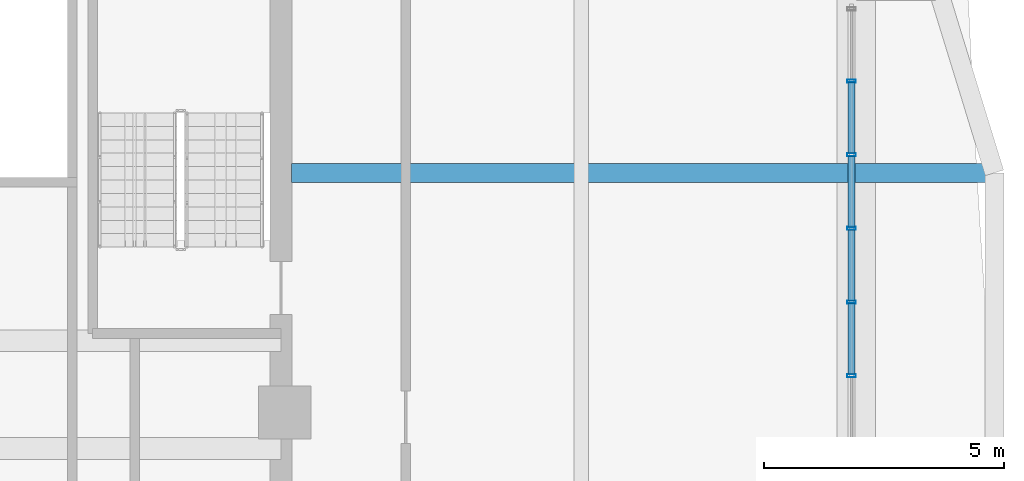
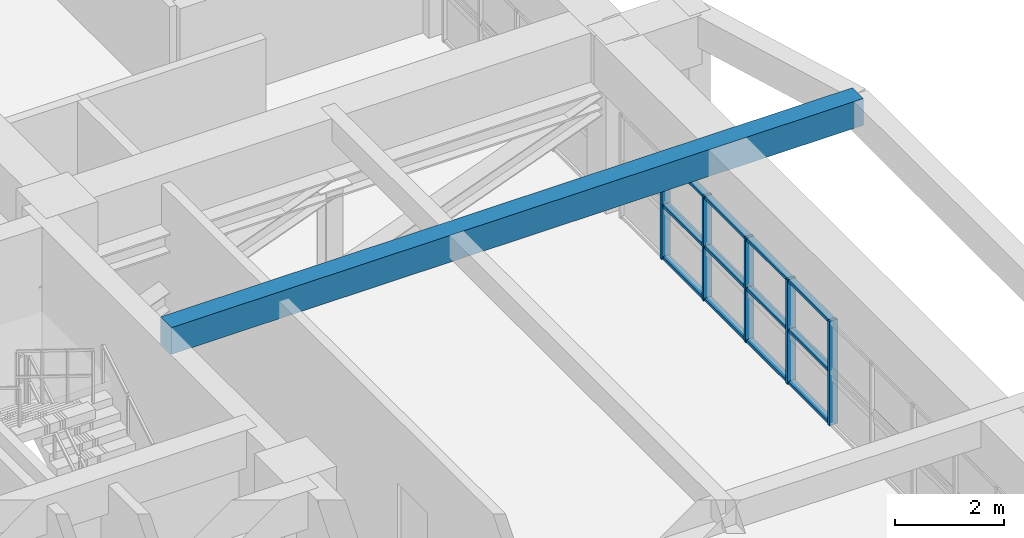
# One storey, part 14 of 25: 17 members, 1 beam, 1 element without a shape of its own.
"""IFC4 building model written with IfcOpenShell, lengths in metres."""

from ifc_helpers import new_model, si_unit, direction, frame, origin, origin_2d, place, context, subcontext, project, spatial, rectangle, hollow_rectangle, extrude, source, transform, mapped, material, layer, layer_set, material_profile, profile_set, type_object, element, aggregate, save


model = new_model("IFC4")

# Units and contexts
model_context = context("Model", 3, precision=1e-05, world=origin(), true_north=direction((0.0, 1.0)))
body_context = subcontext(model_context, "Body", "Model", "MODEL_VIEW")
ifc_project = project(units=[si_unit("LENGTHUNIT", "METRE"), si_unit("AREAUNIT", "SQUARE_METRE"), si_unit("VOLUMEUNIT", "CUBIC_METRE"), si_unit("PLANEANGLEUNIT", "RADIAN"), si_unit("MASSUNIT", "GRAM", prefix="KILO")], contexts=[model_context])

# Site, building, storey
site_placement = place(None, origin())
site = spatial("IfcSite", under=ifc_project, at=site_placement, CompositionType="ELEMENT")
building_placement = place(site_placement, origin())
building = spatial("IfcBuilding", under=site, at=building_placement, Name="Saelheon Loggia Tower", CompositionType="ELEMENT")
storey_placement = place(building_placement, frame((0.0, 0.0, 206.5)))
storey = spatial("IfcBuildingStorey", under=building, at=storey_placement, Name="L64", CompositionType="ELEMENT", Elevation=206.5)

# Beam
ifc_material_1 = material(Name="Precast Concrete C45/55", Category="concrete")
ifc_material_profile_1 = material_profile(ifc_material_1, rectangle(XDim=0.39990234375, YDim=0.60009765625, at=origin_2d()), Name="RC-400x600")
ifc_profile_set_1 = profile_set([ifc_material_profile_1], Name="Precast Concrete C45/55")
beam_type = type_object("IfcBeamType", Name="Beam_LoggiaTie_RC400x600", PredefinedType="BEAM", material=ifc_profile_set_1)
shared_shape_1 = source(origin(), body_context, "Body", "SweptSolid", [
    extrude(rectangle(XDim=0.39990234375, YDim=0.60009765625, at=origin_2d()), origin(), (0.0, 0.0, 1.0), 14.659912109375),
])
beam_placement = place(storey_placement, frame((44.719970703125, 32.0, 3.5), z_axis=(1.0, 0.0, 0.0), x_axis=(0.0, 1.0, 0.0)))
element("IfcBeam", 1, at=beam_placement, inside=storey, type_object=beam_type, Name="L64 Curved Facade Outrigger Beam E 2", PredefinedType="BEAM", context=body_context, shape_type="MappedRepresentation", body=[
    mapped(shared_shape_1, transform((0.0, 0.0, 0.0), scale=1.0)),
])

# Curtain wall, members
ifc_material_2 = material(Name="Anodised Aluminium Acoustic Louvre Curtain Wall", Category="aluminium")
ifc_layer = layer(ifc_material_2, 0.179931640625)
ifc_layer_set = layer_set([ifc_layer], Name="Anodised Aluminium Acoustic Louvre Curtain Wall")
curtain_wall_type = type_object("IfcCurtainWallType", Name="CW_RefugeAcoustic", PredefinedType="NOTDEFINED", material=ifc_layer_set)
curtain_wall_placement = place(storey_placement, origin())
curtain_wall = element("IfcCurtainWall", 2, at=curtain_wall_placement, inside=storey, type_object=curtain_wall_type, Name="L64 E Refuge Acoustic Curtain Wall 2", PredefinedType="NOTDEFINED")
ifc_material_3 = material(Name="Anodised Aluminium 6063-T6", Category="aluminium")
ifc_material_profile_2 = material_profile(ifc_material_3, hollow_rectangle(XDim=0.06494140625, YDim=0.139892578125, WallThickness=0.00390625, at=origin_2d()), Name="RHS-140x65x4")
ifc_profile_set_2 = profile_set([ifc_material_profile_2], Name="Anodised Aluminium 6063-T6")
member_type_1 = type_object("IfcMemberType", Name="CW_RefugeAcoustic_Transom", PredefinedType="USERDEFINED", material=ifc_profile_set_2)
shared_shape_2 = source(origin(), body_context, "Body", "SweptSolid", [
    extrude(hollow_rectangle(XDim=0.06494140625, YDim=0.139892578125, WallThickness=0.00390625, at=origin_2d()), origin(), (0.0, 0.0, 1.0), 1.471435546875),
])
member_1_placement = place(storey_placement, frame((56.39990234375, 30.873291015625, 0.032470703125), z_axis=(0.0, 1.0, 0.0), x_axis=(0.0, 0.0, 1.0)))
member_1 = element("IfcMember", 3, at=member_1_placement, type_object=member_type_1, Name="CW5 transom 9.1", ObjectType="TRANSOM", PredefinedType="USERDEFINED", context=body_context, shape_type="MappedRepresentation", body=[
    mapped(shared_shape_2, transform((0.0, 0.0, 0.0), scale=1.0)),
])
member_2_placement = place(storey_placement, frame((56.39990234375, 30.873291015625, 1.199951171875), z_axis=(0.0, 1.0, 0.0), x_axis=(0.0, 0.0, 1.0)))
member_2 = element("IfcMember", 4, at=member_2_placement, type_object=member_type_1, Name="CW5 transom 9.2", ObjectType="TRANSOM", PredefinedType="USERDEFINED", context=body_context, shape_type="MappedRepresentation", body=[
    mapped(shared_shape_2, transform((0.0, 0.0, 0.0), scale=1.0)),
])
member_3_placement = place(storey_placement, frame((56.39990234375, 30.873291015625, 2.3076171875), z_axis=(0.0, 1.0, 0.0), x_axis=(0.0, 0.0, 1.0)))
member_3 = element("IfcMember", 5, at=member_3_placement, type_object=member_type_1, Name="CW5 transom 9.3", ObjectType="TRANSOM", PredefinedType="USERDEFINED", context=body_context, shape_type="MappedRepresentation", body=[
    mapped(shared_shape_2, transform((0.0, 0.0, 0.0), scale=1.0)),
])
member_4_placement = place(storey_placement, frame((56.39990234375, 32.40966796875, 0.032470703125), z_axis=(0.0, 1.0, 0.0), x_axis=(0.0, 0.0, 1.0)))
member_4 = element("IfcMember", 6, at=member_4_placement, type_object=member_type_1, Name="CW5 transom 10.1", ObjectType="TRANSOM", PredefinedType="USERDEFINED", context=body_context, shape_type="MappedRepresentation", body=[
    mapped(shared_shape_2, transform((0.0, 0.0, 0.0), scale=1.0)),
])
member_5_placement = place(storey_placement, frame((56.39990234375, 32.40966796875, 1.199951171875), z_axis=(0.0, 1.0, 0.0), x_axis=(0.0, 0.0, 1.0)))
member_5 = element("IfcMember", 7, at=member_5_placement, type_object=member_type_1, Name="CW5 transom 10.2", ObjectType="TRANSOM", PredefinedType="USERDEFINED", context=body_context, shape_type="MappedRepresentation", body=[
    mapped(shared_shape_2, transform((0.0, 0.0, 0.0), scale=1.0)),
])
member_6_placement = place(storey_placement, frame((56.39990234375, 32.40966796875, 2.3076171875), z_axis=(0.0, 1.0, 0.0), x_axis=(0.0, 0.0, 1.0)))
member_6 = element("IfcMember", 8, at=member_6_placement, type_object=member_type_1, Name="CW5 transom 10.3", ObjectType="TRANSOM", PredefinedType="USERDEFINED", context=body_context, shape_type="MappedRepresentation", body=[
    mapped(shared_shape_2, transform((0.0, 0.0, 0.0), scale=1.0)),
])
shared_shape_3 = source(origin(), body_context, "Body", "SweptSolid", [
    extrude(hollow_rectangle(XDim=0.06494140625, YDim=0.139892578125, WallThickness=0.00390625, at=origin_2d()), origin(), (0.0, 0.0, 1.0), 1.47119140625),
])
member_7_placement = place(storey_placement, frame((56.39990234375, 27.80078125, 0.032470703125), z_axis=(0.0, 1.0, 0.0), x_axis=(0.0, 0.0, 1.0)))
member_7 = element("IfcMember", 9, at=member_7_placement, type_object=member_type_1, Name="CW5 transom 7.1", ObjectType="TRANSOM", PredefinedType="USERDEFINED", context=body_context, shape_type="MappedRepresentation", body=[
    mapped(shared_shape_3, transform((0.0, 0.0, 0.0), scale=1.0)),
])
member_8_placement = place(storey_placement, frame((56.39990234375, 27.80078125, 1.199951171875), z_axis=(0.0, 1.0, 0.0), x_axis=(0.0, 0.0, 1.0)))
member_8 = element("IfcMember", 10, at=member_8_placement, type_object=member_type_1, Name="CW5 transom 7.2", ObjectType="TRANSOM", PredefinedType="USERDEFINED", context=body_context, shape_type="MappedRepresentation", body=[
    mapped(shared_shape_3, transform((0.0, 0.0, 0.0), scale=1.0)),
])
member_9_placement = place(storey_placement, frame((56.39990234375, 27.80078125, 2.3076171875), z_axis=(0.0, 1.0, 0.0), x_axis=(0.0, 0.0, 1.0)))
member_9 = element("IfcMember", 11, at=member_9_placement, type_object=member_type_1, Name="CW5 transom 7.3", ObjectType="TRANSOM", PredefinedType="USERDEFINED", context=body_context, shape_type="MappedRepresentation", body=[
    mapped(shared_shape_3, transform((0.0, 0.0, 0.0), scale=1.0)),
])
member_10_placement = place(storey_placement, frame((56.39990234375, 29.337158203125, 0.032470703125), z_axis=(0.0, 1.0, 0.0), x_axis=(0.0, 0.0, 1.0)))
member_10 = element("IfcMember", 12, at=member_10_placement, type_object=member_type_1, Name="CW5 transom 8.1", ObjectType="TRANSOM", PredefinedType="USERDEFINED", context=body_context, shape_type="MappedRepresentation", body=[
    mapped(shared_shape_3, transform((0.0, 0.0, 0.0), scale=1.0)),
])
member_11_placement = place(storey_placement, frame((56.39990234375, 29.337158203125, 1.199951171875), z_axis=(0.0, 1.0, 0.0), x_axis=(0.0, 0.0, 1.0)))
member_11 = element("IfcMember", 13, at=member_11_placement, type_object=member_type_1, Name="CW5 transom 8.2", ObjectType="TRANSOM", PredefinedType="USERDEFINED", context=body_context, shape_type="MappedRepresentation", body=[
    mapped(shared_shape_3, transform((0.0, 0.0, 0.0), scale=1.0)),
])
member_12_placement = place(storey_placement, frame((56.39990234375, 29.337158203125, 2.3076171875), z_axis=(0.0, 1.0, 0.0), x_axis=(0.0, 0.0, 1.0)))
member_12 = element("IfcMember", 14, at=member_12_placement, type_object=member_type_1, Name="CW5 transom 8.3", ObjectType="TRANSOM", PredefinedType="USERDEFINED", context=body_context, shape_type="MappedRepresentation", body=[
    mapped(shared_shape_3, transform((0.0, 0.0, 0.0), scale=1.0)),
])
ifc_material_profile_3 = material_profile(ifc_material_3, hollow_rectangle(XDim=0.06494140625, YDim=0.179931640625, WallThickness=0.00390625, at=origin_2d()), Name="RHS-180x65x4")
ifc_profile_set_3 = profile_set([ifc_material_profile_3], Name="Anodised Aluminium 6063-T6")
member_type_2 = type_object("IfcMemberType", Name="CW_RefugeAcoustic_Mullion", PredefinedType="MULLION", material=ifc_profile_set_3)
shared_shape_4 = source(origin(), body_context, "Body", "SweptSolid", [
    extrude(hollow_rectangle(XDim=0.06494140625, YDim=0.179931640625, WallThickness=0.00390625, at=origin_2d()), origin(), (0.0, 0.0, 1.0), 2.340087890625),
])
member_13_placement = place(storey_placement, frame((56.39990234375, 27.76806640625, 0.0), z_axis=(0.0, 0.0, 1.0), x_axis=(0.0, 1.0, 0.0)))
member_13 = element("IfcMember", 15, at=member_13_placement, type_object=member_type_2, Name="CW5 mullion 7", PredefinedType="MULLION", context=body_context, shape_type="MappedRepresentation", body=[
    mapped(shared_shape_4, transform((0.0, 0.0, 0.0), scale=1.0)),
])
member_14_placement = place(storey_placement, frame((56.39990234375, 29.304443359375, 0.0), z_axis=(0.0, 0.0, 1.0), x_axis=(0.0, 1.0, 0.0)))
member_14 = element("IfcMember", 16, at=member_14_placement, type_object=member_type_2, Name="CW5 mullion 8", PredefinedType="MULLION", context=body_context, shape_type="MappedRepresentation", body=[
    mapped(shared_shape_4, transform((0.0, 0.0, 0.0), scale=1.0)),
])
member_15_placement = place(storey_placement, frame((56.39990234375, 30.8408203125, 0.0), z_axis=(0.0, 0.0, 1.0), x_axis=(0.0, 1.0, 0.0)))
member_15 = element("IfcMember", 17, at=member_15_placement, type_object=member_type_2, Name="CW5 mullion 9", PredefinedType="MULLION", context=body_context, shape_type="MappedRepresentation", body=[
    mapped(shared_shape_4, transform((0.0, 0.0, 0.0), scale=1.0)),
])
member_16_placement = place(storey_placement, frame((56.39990234375, 32.377197265625, 0.0), z_axis=(0.0, 0.0, 1.0), x_axis=(0.0, 1.0, 0.0)))
member_16 = element("IfcMember", 18, at=member_16_placement, type_object=member_type_2, Name="CW5 mullion 10", PredefinedType="MULLION", context=body_context, shape_type="MappedRepresentation", body=[
    mapped(shared_shape_4, transform((0.0, 0.0, 0.0), scale=1.0)),
])
member_17_placement = place(storey_placement, frame((56.39990234375, 33.91357421875, 0.0), z_axis=(0.0, 0.0, 1.0), x_axis=(0.0, 1.0, 0.0)))
member_17 = element("IfcMember", 19, at=member_17_placement, type_object=member_type_2, Name="CW5 mullion 11", PredefinedType="MULLION", context=body_context, shape_type="MappedRepresentation", body=[
    mapped(shared_shape_4, transform((0.0, 0.0, 0.0), scale=1.0)),
])
aggregate(curtain_wall, [member_13, member_14, member_15, member_16, member_17, member_7, member_8, member_9, member_10, member_11, member_12, member_1, member_2, member_3, member_4, member_5, member_6])

save(model, "model.ifc")
